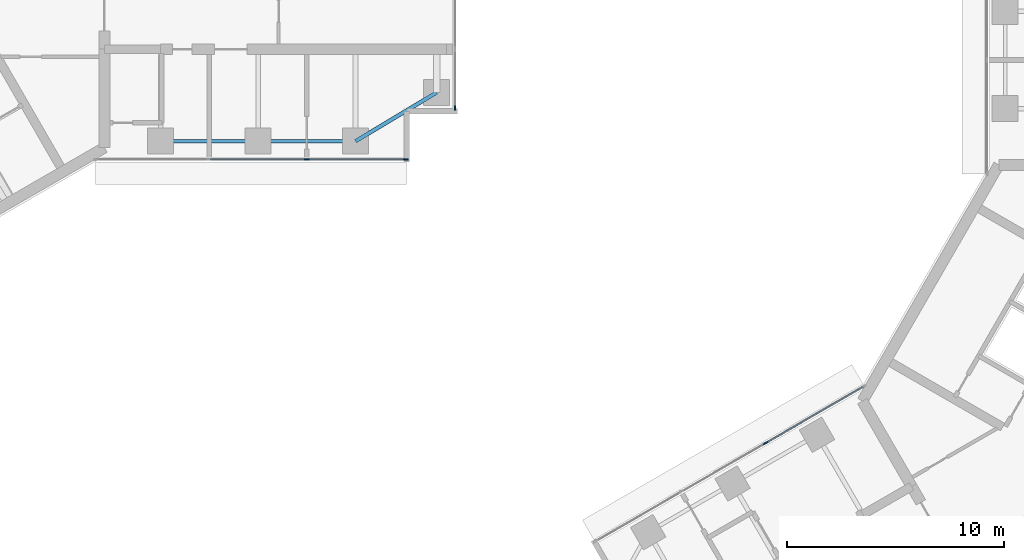
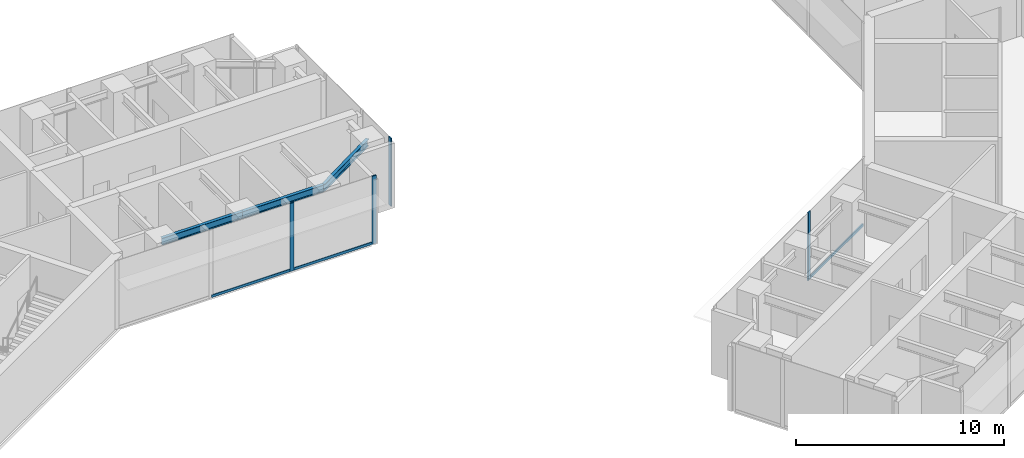
# One storey, part 4 of 17: 7 members, 3 beams, 3 elements without a shape of their own.
"""IFC4 building model written with IfcOpenShell, lengths in metres."""

from ifc_helpers import new_model, si_unit, direction, frame, origin, origin_2d, place, context, subcontext, project, spatial, rectangle, i_section, extrude, material, material_profile, profile_set, type_object, element, aggregate, save


model = new_model("IFC4")

# Units and contexts
model_context = context("Model", 3, precision=1e-05, world=origin(), true_north=direction((0.0, 1.0)))
body_context = subcontext(model_context, "Body", "Model", "MODEL_VIEW")
ifc_project = project(units=[si_unit("LENGTHUNIT", "METRE"), si_unit("AREAUNIT", "SQUARE_METRE"), si_unit("VOLUMEUNIT", "CUBIC_METRE"), si_unit("PLANEANGLEUNIT", "RADIAN"), si_unit("MASSUNIT", "GRAM", prefix="KILO")], contexts=[model_context])

# Site, building, storey
site_placement = place(None, origin())
site = spatial("IfcSite", under=ifc_project, at=site_placement, CompositionType="ELEMENT")
building_placement = place(site_placement, origin())
building = spatial("IfcBuilding", under=site, at=building_placement, Name="Upepo Twin Towers", CompositionType="ELEMENT")
storey_placement = place(building_placement, frame((0.0, 0.0, 190.5)))
storey = spatial("IfcBuildingStorey", under=building, at=storey_placement, Name="L46", CompositionType="ELEMENT", Elevation=190.5)

# Beams
ifc_material_1 = material(Name="Steel S355", Category="steel")
ifc_material_profile_1 = material_profile(ifc_material_1, i_section(OverallWidth=0.177978515625, OverallDepth=0.406494140625, WebThickness=0.0078125, FlangeThickness=0.0126953125, FilletRadius=0.01025390625, at=origin_2d()), Name="UB 406x178x60")
ifc_profile_set_1 = profile_set([ifc_material_profile_1], Name="Steel S355")
beam_type = type_object("IfcBeamType", Name="Beam UB 406x178x60", PredefinedType="BEAM", material=ifc_profile_set_1)
for number, where, z_axis, x_axis, name in (
    (1, (13.5, -6.0, 3.5966796875), (1.0, 0.0, 0.0), (0.0, 1.0, 0.0), "T1 edge beam AR 13.5-18.0"),
    (2, (18.0, -6.0, 3.5966796875), (1.0, 0.0, 0.0), (0.0, 1.0, 0.0), "T1 edge beam AR 18.0-22.5"),
):
    element("IfcBeam", number, at=place(storey_placement, frame(where, z_axis=z_axis, x_axis=x_axis)), inside=storey, type_object=beam_type, Name=name, PredefinedType="BEAM", context=body_context, shape_type="SweptSolid", body=[
        extrude(i_section(OverallWidth=0.177978515625, OverallDepth=0.406494140625, WebThickness=0.0078125, FlangeThickness=0.0126953125, FilletRadius=0.01025390625, at=origin_2d()), origin(), (0.0, 0.0, 1.0), 4.5),
    ])
beam_placement = place(storey_placement, frame((22.5, -6.0, 3.5966796875), z_axis=(0.857492925713, 0.514495755428, 0.0), x_axis=(-0.514495755428, 0.857492925713, 0.0)))
element("IfcBeam", 3, at=beam_placement, inside=storey, type_object=beam_type, Name="T1 nose edge beam AR", PredefinedType="BEAM", context=body_context, shape_type="SweptSolid", body=[
    extrude(i_section(OverallWidth=0.177978515625, OverallDepth=0.406494140625, WebThickness=0.0078125, FlangeThickness=0.0126953125, FilletRadius=0.01025390625, at=origin_2d()), origin(), (0.0, 0.0, 1.0), 4.373291015625),
])

# Curtain wall, members
ifc_material_2 = material(Name="Aluminium and fritted glass", Category="aluminium")
curtain_wall_type = type_object("IfcCurtainWallType", Name="Tower curtain wall TW3, fritted glass", PredefinedType="NOTDEFINED", material=ifc_material_2)
curtain_wall_1_placement = place(storey_placement, origin())
curtain_wall_1 = element("IfcCurtainWall", 4, at=curtain_wall_1_placement, inside=storey, type_object=curtain_wall_type, Name="T1 L46 wing A flank R curtain wall", PredefinedType="NOTDEFINED")
ifc_material_3 = material(Name="Aluminium mullion", Category="aluminium")
ifc_material_profile_2 = material_profile(ifc_material_3, rectangle(XDim=0.06494140625, YDim=0.22509765625, at=origin_2d()), Name="MULLION 65x225")
ifc_profile_set_2 = profile_set([ifc_material_profile_2], Name="Aluminium mullion")
member_type_1 = type_object("IfcMemberType", Name="Mullion 65x225 TW3", PredefinedType="MULLION", material=ifc_profile_set_2)
member_1_placement = place(storey_placement, frame((24.8173828125, -6.85009765625, 0.0), z_axis=(0.0, 0.0, 1.0), x_axis=(0.0, -1.0, 0.0)))
member_1 = element("IfcMember", 5, at=member_1_placement, type_object=member_type_1, Name="T1 L46 wing A flank R curtain wall mullion 1", PredefinedType="MULLION", context=body_context, shape_type="SweptSolid", body=[
    extrude(rectangle(XDim=0.06494140625, YDim=0.22509765625, at=origin_2d()), origin(), (0.0, 0.0, 1.0), 4.0),
])
member_2_placement = place(storey_placement, frame((20.25, -6.85009765625, 0.0), z_axis=(0.0, 0.0, 1.0), x_axis=(0.0, -1.0, 0.0)))
member_2 = element("IfcMember", 6, at=member_2_placement, type_object=member_type_1, Name="T1 L46 wing A flank R curtain wall mullion 2", PredefinedType="MULLION", context=body_context, shape_type="SweptSolid", body=[
    extrude(rectangle(XDim=0.06494140625, YDim=0.22509765625, at=origin_2d()), origin(), (0.0, 0.0, 1.0), 4.0),
])

# Curtain wall, member
curtain_wall_2_placement = place(storey_placement, origin())
curtain_wall_2 = element("IfcCurtainWall", 7, at=curtain_wall_2_placement, inside=storey, type_object=curtain_wall_type, Name="T1 L46 wing A nose curtain wall", PredefinedType="NOTDEFINED")
member_3_placement = place(storey_placement, frame((27.10009765625, -4.467529296875, 0.0), z_axis=(0.0, 0.0, 1.0), x_axis=(-1.0, 0.0, 0.0)))
member_3 = element("IfcMember", 8, at=member_3_placement, type_object=member_type_1, Name="T1 L46 wing A nose curtain wall mullion 1", PredefinedType="MULLION", context=body_context, shape_type="SweptSolid", body=[
    extrude(rectangle(XDim=0.06494140625, YDim=0.22509765625, at=origin_2d()), origin(), (0.0, 0.0, 1.0), 4.0),
])
aggregate(curtain_wall_2, [member_3])

curtain_wall_3_placement = place(storey_placement, origin())
curtain_wall_3 = element("IfcCurtainWall", 9, at=curtain_wall_3_placement, inside=storey, type_object=curtain_wall_type, Name="T2 L46 wing B flank R curtain wall", PredefinedType="NOTDEFINED")
member_4_placement = place(storey_placement, frame((41.43505859375, -19.942626953125, 0.0), z_axis=(0.0, 0.0, 1.0), x_axis=(-0.500000026527, 0.866025388469, 0.0)))
member_4 = element("IfcMember", 10, at=member_4_placement, type_object=member_type_1, Name="T2 L46 wing B flank R curtain wall mullion 3", PredefinedType="MULLION", context=body_context, shape_type="SweptSolid", body=[
    extrude(rectangle(XDim=0.06494140625, YDim=0.22509765625, at=origin_2d()), origin(), (0.0, 0.0, 1.0), 4.0),
])

# Member
ifc_material_4 = material(Name="Aluminium transom", Category="aluminium")
ifc_material_profile_3 = material_profile(ifc_material_4, rectangle(XDim=0.06494140625, YDim=0.14990234375, at=origin_2d()), Name="TRANSOM 65x150")
ifc_profile_set_3 = profile_set([ifc_material_profile_3], Name="Aluminium transom")
member_type_2 = type_object("IfcMemberType", Name="Transom 65x150 TW3", PredefinedType="USERDEFINED", material=ifc_profile_set_3)
member_5_placement = place(storey_placement, frame((24.784912109375, -6.85009765625, 0.074951171875), z_axis=(-1.0, 0.0, 0.0), x_axis=(0.0, -1.0, 0.0)))
member_5 = element("IfcMember", 11, at=member_5_placement, type_object=member_type_2, Name="T1 L46 wing A flank R curtain wall transom 1", ObjectType="TRANSOM", PredefinedType="USERDEFINED", context=body_context, shape_type="SweptSolid", body=[
    extrude(rectangle(XDim=0.06494140625, YDim=0.14990234375, at=origin_2d()), origin(), (0.0, 0.0, 1.0), 4.50244140625),
])

member_6_placement = place(storey_placement, frame((20.217529296875, -6.85009765625, 0.074951171875), z_axis=(-1.0, 0.0, 0.0), x_axis=(0.0, -1.0, 0.0)))
member_6 = element("IfcMember", 12, at=member_6_placement, type_object=member_type_2, Name="T1 L46 wing A flank R curtain wall transom 2", ObjectType="TRANSOM", PredefinedType="USERDEFINED", context=body_context, shape_type="SweptSolid", body=[
    extrude(rectangle(XDim=0.06494140625, YDim=0.14990234375, at=origin_2d()), origin(), (0.0, 0.0, 1.0), 4.43505859375),
])

aggregate(curtain_wall_1, [member_1, member_2, member_5, member_6])

member_7_placement = place(storey_placement, frame((41.463134765625, -19.926513671875, 0.074951171875), z_axis=(0.86602108507, 0.500007480159, 0.0), x_axis=(-0.500007480159, 0.86602108507, 0.0)))
member_7 = element("IfcMember", 13, at=member_7_placement, type_object=member_type_2, Name="T2 L46 wing B flank R curtain wall transom 3", ObjectType="TRANSOM", PredefinedType="USERDEFINED", context=body_context, shape_type="SweptSolid", body=[
    extrude(rectangle(XDim=0.06494140625, YDim=0.14990234375, at=origin_2d()), origin(), (0.0, 0.0, 1.0), 5.16552734375),
])

aggregate(curtain_wall_3, [member_4, member_7])

save(model, "model.ifc")
